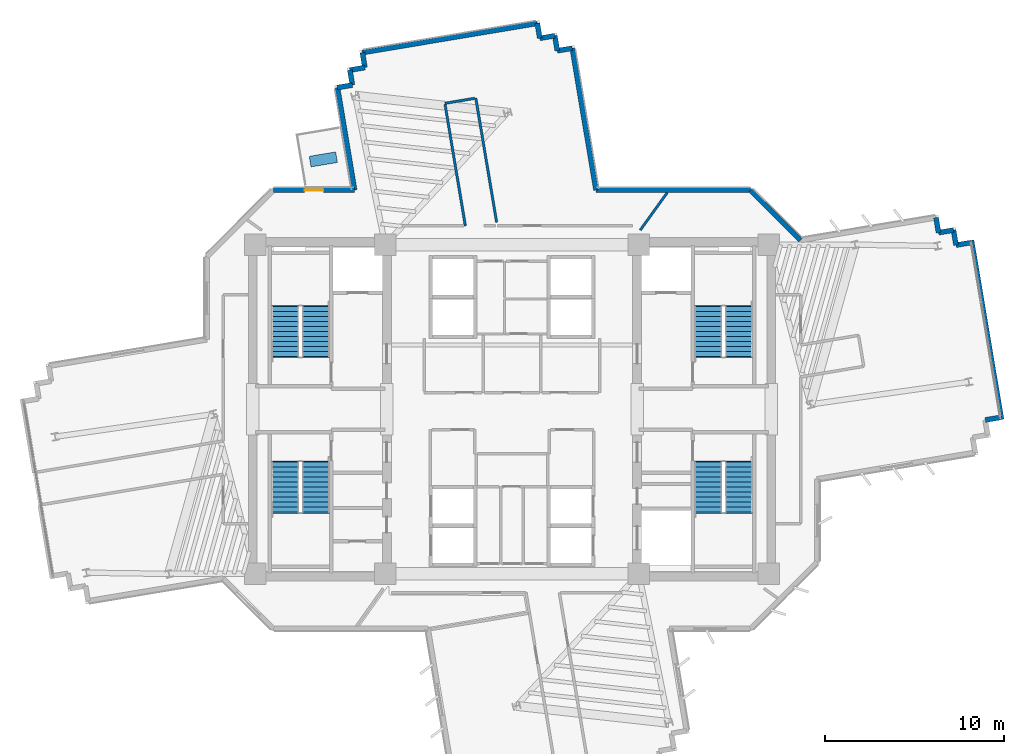
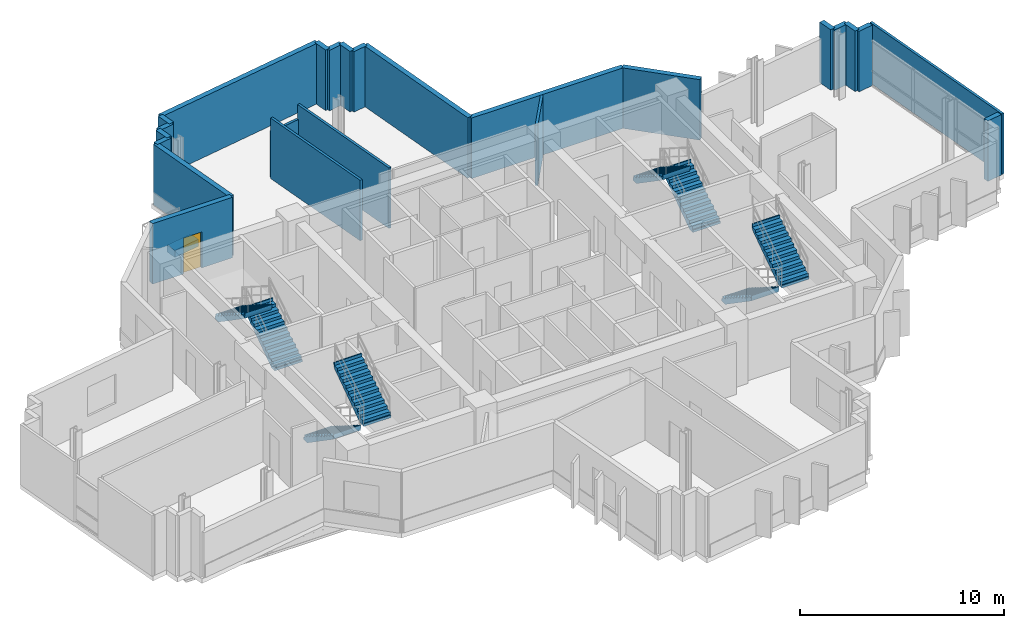
# One storey, part 11 of 15: 24 walls, 8 stair flights, 1 discrete accessory, 1 door, 1 opening, 4 elements without a shape of their own.
"""IFC4 building model written with IfcOpenShell, lengths in metres."""

from ifc_helpers import new_model, si_unit, direction, frame, frame_2d, origin, origin_2d, place, context, subcontext, project, spatial, polyline, rectangle, outline, extrude, source, transform, mapped, material, layer, layer_set, type_object, element, fill, aggregate, save


model = new_model("IFC4")

# Units and contexts
model_context = context("Model", 3, precision=1e-05, world=origin(), true_north=direction((0.0, 1.0)))
body_context = subcontext(model_context, "Body", "Model", "MODEL_VIEW")
ifc_project = project(units=[si_unit("LENGTHUNIT", "METRE"), si_unit("AREAUNIT", "SQUARE_METRE"), si_unit("VOLUMEUNIT", "CUBIC_METRE"), si_unit("PLANEANGLEUNIT", "RADIAN"), si_unit("MASSUNIT", "GRAM", prefix="KILO")], contexts=[model_context])

# Site, building, storey
site_placement = place(None, origin())
site = spatial("IfcSite", under=ifc_project, at=site_placement, CompositionType="ELEMENT")
building_placement = place(site_placement, origin())
building = spatial("IfcBuilding", under=site, at=building_placement, Name="Zahravan Cultural Tower", CompositionType="ELEMENT")
storey_placement = place(building_placement, frame((0.0, 0.0, 139.5)))
storey = spatial("IfcBuildingStorey", under=building, at=storey_placement, Name="L31", CompositionType="ELEMENT", Elevation=139.5)

# Wall, opening, door
ifc_material_1 = material(Name="Precast concrete C40/50", Category="concrete")
ifc_layer_1 = layer(ifc_material_1, 0.280029296875)
ifc_layer_set_1 = layer_set([ifc_layer_1], Name="Precast concrete C40/50")
wall_type_1 = type_object("IfcWallType", Name="EW-TC-280", PredefinedType="SOLIDWALL", material=ifc_layer_set_1)
wall_1_placement = place(storey_placement, frame((22.657958984375, 39.260009765625, 0.0), z_axis=(0.0, 0.0, 1.0), x_axis=(1.0, 0.0, 0.0)))
wall_1 = element("IfcWall", 1, at=wall_1_placement, inside=storey, type_object=wall_type_1, Name="L31 Exterior Masonry Frame Wall 39", PredefinedType="SOLIDWALL", context=body_context, shape_type="SweptSolid", body=[
    extrude(rectangle(XDim=4.537841796875, YDim=0.280029296875, at=frame_2d((2.26904296875, 0.0))), origin(), (0.0, 0.0, 1.0), 3.6201171875),
])
opening_placement = place(wall_1_placement, frame((1.743896484375, 0.0, 0.0)))
opening = element("IfcOpeningElement", 2, at=opening_placement, cuts=wall_1, Name="Opening D-L31-TR-NW", PredefinedType="OPENING", context=body_context, shape_type="SweptSolid", body=[
    extrude(rectangle(XDim=1.050048828125, YDim=2.14990234375, at=frame_2d((0.52490234375, 1.074951171875))), frame((0.0, 0.14990234375, 0.0), z_axis=(0.0, -1.0, 0.0), x_axis=(1.0, 0.0, 0.0)), (0.0, 0.0, 1.0), 0.300048828125),
])
ifc_material_2 = material(Name="Anodised bronze-aluminium mullion", Category="aluminium")
door_type = type_object("IfcDoorType", Name="DR-TERR-1050", OperationType="NOTDEFINED", PredefinedType="DOOR", material=ifc_material_2)
shared_shape_1 = source(origin(), body_context, "Body", "SweptSolid", [
    extrude(rectangle(XDim=1.050048828125, YDim=2.14990234375, at=frame_2d((0.52490234375, 1.074951171875))), frame((0.0, 0.02490234375, 0.0), z_axis=(0.0, -1.0, 0.0), x_axis=(1.0, 0.0, 0.0)), (0.0, 0.0, 1.0), 0.050048828125),
])
door_placement = place(opening_placement, origin())
door = element("IfcDoor", 3, at=door_placement, inside=storey, type_object=door_type, Name="L31 Terrace Access Door NW", OperationType="SINGLE_SWING_RIGHT", OverallHeight=2.14990234375, OverallWidth=1.050048828125, PredefinedType="DOOR", context=body_context, shape_type="MappedRepresentation", body=[
    mapped(shared_shape_1, transform((0.0, 0.0, 0.0), x_axis=(1.0, 0.0, 0.0), y_axis=(0.0, 1.0, 0.0), z_axis=(0.0, 0.0, 1.0), scale=1.0)),
])
fill(opening, door)

# Walls
shared_shape_2 = source(origin(), body_context, "Body", "SweptSolid", [
    extrude(rectangle(XDim=0.85009765625, YDim=0.280029296875, at=frame_2d((0.425048828125, 0.0))), origin(), (0.0, 0.0, 1.0), 3.6201171875),
])
for number, where, z_axis, x_axis, name in (
    (4, (59.7158203125, 37.72119140625, 0.0), (0.0, 0.0, 1.0), (0.164864732418, -0.986316186628, 0.0), "L31 Exterior Masonry Frame Wall 02"),
    (5, (59.85595703125, 36.8828125, 0.0), (0.0, 0.0, 1.0), (0.986269444653, 0.16514412658, 0.0), "L31 Exterior Masonry Frame Wall 03"),
    (6, (60.6943359375, 37.023193359375, 0.0), (0.0, 0.0, 1.0), (0.16514412658, -0.986269444653, 0.0), "L31 Exterior Masonry Frame Wall 04"),
    (7, (60.834716796875, 36.184814453125, 0.0), (0.0, 0.0, 1.0), (0.986269444653, 0.16514412658, 0.0), "L31 Exterior Masonry Frame Wall 05"),
    (8, (63.310302734375, 26.541259765625, 0.0), (0.0, 0.0, 1.0), (-0.986269444653, -0.16514412658, 0.0), "L31 Exterior Masonry Frame Wall 06"),
    (9, (26.236083984375, 44.9951171875, 0.0), (0.0, 0.0, 1.0), (0.986269444653, 0.16514412658, 0.0), "L31 Exterior Masonry Frame Wall 41"),
    (10, (27.074462890625, 45.135498046875, 0.0), (0.0, 0.0, 1.0), (-0.16514412658, 0.986269444653, 0.0), "L31 Exterior Masonry Frame Wall 42"),
    (11, (26.93408203125, 45.973876953125, 0.0), (0.0, 0.0, 1.0), (0.986269444653, 0.16514412658, 0.0), "L31 Exterior Masonry Frame Wall 43"),
    (12, (37.416015625, 48.58984375, 0.0), (0.0, 0.0, 1.0), (0.16514412658, -0.986269444653, 0.0), "L31 Exterior Masonry Frame Wall 46"),
    (13, (37.556396484375, 47.75146484375, 0.0), (0.0, 0.0, 1.0), (0.986316186628, 0.164864732418, 0.0), "L31 Exterior Masonry Frame Wall 47"),
    (14, (38.534912109375, 47.053466796875, 0.0), (0.0, 0.0, 1.0), (0.986316186628, 0.164864732418, 0.0), "L31 Exterior Masonry Frame Wall 49"),
):
    element("IfcWall", number, at=place(storey_placement, frame(where, z_axis=z_axis, x_axis=x_axis)), inside=storey, type_object=wall_type_1, Name=name, PredefinedType="SOLIDWALL", context=body_context, shape_type="MappedRepresentation", body=[
        mapped(shared_shape_2, transform((0.0, 0.0, 0.0), x_axis=(1.0, 0.0, 0.0), y_axis=(0.0, 1.0, 0.0), z_axis=(0.0, 0.0, 1.0), scale=1.0)),
    ])
shared_shape_3 = source(origin(), body_context, "Body", "SweptSolid", [
    extrude(rectangle(XDim=0.849853515625, YDim=0.280029296875, at=frame_2d((0.4248046875, 0.0))), origin(), (0.0, 0.0, 1.0), 3.6201171875),
])
for number, where, z_axis, x_axis, name in (
    (15, (27.7724609375, 46.1142578125, 0.0), (0.0, 0.0, 1.0), (-0.165190918979, 0.986261608442, 0.0), "L31 Exterior Masonry Frame Wall 44"),
    (16, (38.394775390625, 47.8916015625, 0.0), (0.0, 0.0, 1.0), (0.164911450083, -0.986308376539, 0.0), "L31 Exterior Masonry Frame Wall 48"),
):
    element("IfcWall", number, at=place(storey_placement, frame(where, z_axis=z_axis, x_axis=x_axis)), inside=storey, type_object=wall_type_1, Name=name, PredefinedType="SOLIDWALL", context=body_context, shape_type="MappedRepresentation", body=[
        mapped(shared_shape_3, transform((0.0, 0.0, 0.0), x_axis=(1.0, 0.0, 0.0), y_axis=(0.0, 1.0, 0.0), z_axis=(0.0, 0.0, 1.0), scale=1.0)),
    ])
shared_shape_4 = source(origin(), body_context, "Body", "SweptSolid", [
    extrude(rectangle(XDim=9.919921875, YDim=0.280029296875, at=frame_2d((4.9599609375, 0.0))), origin(), (0.0, 0.0, 1.0), 3.6201171875),
])
wall_2_placement = place(storey_placement, frame((27.632080078125, 46.952392578125, 0.0), z_axis=(0.0, 0.0, 1.0), x_axis=(0.986282616944, 0.165065440096, 0.0)))
element("IfcWall", 17, at=wall_2_placement, inside=storey, type_object=wall_type_1, Name="L31 Exterior Masonry Frame Wall 45", PredefinedType="SOLIDWALL", context=body_context, shape_type="MappedRepresentation", body=[
    mapped(shared_shape_4, transform((0.0, 0.0, 0.0), x_axis=(1.0, 0.0, 0.0), y_axis=(0.0, 1.0, 0.0), z_axis=(0.0, 0.0, 1.0), scale=1.0)),
])
shared_shape_5 = source(origin(), body_context, "Body", "SweptSolid", [
    extrude(rectangle(XDim=8.64111328125, YDim=0.280029296875, at=frame_2d((4.320556640625, 0.0))), origin(), (0.0, 0.0, 1.0), 3.6201171875),
])
wall_3_placement = place(storey_placement, frame((40.700927734375, 39.260009765625, 0.0), z_axis=(0.0, 0.0, 1.0), x_axis=(1.0, 0.0, 0.0)))
element("IfcWall", 18, at=wall_3_placement, inside=storey, type_object=wall_type_1, Name="L31 Exterior Masonry Frame Wall 51", PredefinedType="SOLIDWALL", context=body_context, shape_type="MappedRepresentation", body=[
    mapped(shared_shape_5, transform((0.0, 0.0, 0.0), x_axis=(1.0, 0.0, 0.0), y_axis=(0.0, 1.0, 0.0), z_axis=(0.0, 0.0, 1.0), scale=1.0)),
])
shared_shape_6 = source(origin(), body_context, "Body", "SweptSolid", [
    extrude(rectangle(XDim=5.81494140625, YDim=0.280029296875, at=frame_2d((2.907470703125, 0.0))), origin(), (0.0, 0.0, 1.0), 3.6201171875),
])
wall_4_placement = place(storey_placement, frame((27.19580078125, 39.260009765625, 0.0), z_axis=(0.0, 0.0, 1.0), x_axis=(-0.165045758581, 0.986285910664, 0.0)))
element("IfcWall", 19, at=wall_4_placement, inside=storey, type_object=wall_type_1, Name="L31 Exterior Masonry Frame Wall 40", PredefinedType="SOLIDWALL", context=body_context, shape_type="MappedRepresentation", body=[
    mapped(shared_shape_6, transform((0.0, 0.0, 0.0), x_axis=(1.0, 0.0, 0.0), y_axis=(0.0, 1.0, 0.0), z_axis=(0.0, 0.0, 1.0), scale=1.0)),
])
shared_shape_7 = source(origin(), body_context, "Body", "SweptSolid", [
    extrude(rectangle(XDim=8.0439453125, YDim=0.280029296875, at=frame_2d((4.02197265625, 0.0))), origin(), (0.0, 0.0, 1.0), 3.6201171875),
])
wall_5_placement = place(storey_placement, frame((39.373291015625, 47.193603515625, 0.0), z_axis=(0.0, 0.0, 1.0), x_axis=(0.165048626668, -0.986285430712, 0.0)))
element("IfcWall", 20, at=wall_5_placement, inside=storey, type_object=wall_type_1, Name="L31 Exterior Masonry Frame Wall 50", PredefinedType="SOLIDWALL", context=body_context, shape_type="MappedRepresentation", body=[
    mapped(shared_shape_7, transform((0.0, 0.0, 0.0), x_axis=(1.0, 0.0, 0.0), y_axis=(0.0, 1.0, 0.0), z_axis=(0.0, 0.0, 1.0), scale=1.0)),
])
shared_shape_8 = source(origin(), body_context, "Body", "SweptSolid", [
    extrude(rectangle(XDim=3.96728515625, YDim=0.280029296875, at=frame_2d((1.983642578125, 0.0))), origin(), (0.0, 0.0, 1.0), 3.6201171875),
])
wall_6_placement = place(storey_placement, frame((49.342041015625, 39.260009765625, 0.0), z_axis=(0.0, 0.0, 1.0), x_axis=(0.707076011326, -0.707137549708, 0.0)))
element("IfcWall", 21, at=wall_6_placement, inside=storey, type_object=wall_type_1, Name="L31 Exterior Masonry Frame Wall 52", PredefinedType="SOLIDWALL", context=body_context, shape_type="MappedRepresentation", body=[
    mapped(shared_shape_8, transform((0.0, 0.0, 0.0), x_axis=(1.0, 0.0, 0.0), y_axis=(0.0, 1.0, 0.0), z_axis=(0.0, 0.0, 1.0), scale=1.0)),
])
ifc_material_3 = material(Name="Gypsum plasterboard partition")
ifc_layer_2 = layer(ifc_material_3, 0.139892578125)
ifc_layer_set_2 = layer_set([ifc_layer_2], Name="Gypsum plasterboard partition")
wall_type_2 = type_object("IfcWallType", Name="W-PART-140", PredefinedType="PARTITIONING", material=ifc_layer_set_2)
shared_shape_9 = source(origin(), body_context, "Body", "SweptSolid", [
    extrude(rectangle(XDim=1.677490234375, YDim=0.139892578125, at=frame_2d((0.8388671875, 0.0))), origin(), (0.0, 0.0, 1.0), 2.761962890625),
])
wall_7_placement = place(storey_placement, frame((33.90087890625, 44.390869140625, 0.0), z_axis=(0.0, 0.0, 1.0), x_axis=(-0.986164833546, -0.165767671991, 0.0)))
element("IfcWall", 22, at=wall_7_placement, inside=storey, type_object=wall_type_2, Name="L31 Interior Wall 108", PredefinedType="PARTITIONING", context=body_context, shape_type="MappedRepresentation", body=[
    mapped(shared_shape_9, transform((0.0, 0.0, 0.0), x_axis=(1.0, 0.0, 0.0), y_axis=(0.0, 1.0, 0.0), z_axis=(0.0, 0.0, 1.0), scale=1.0)),
])
shared_shape_10 = source(origin(), body_context, "Body", "SweptSolid", [
    extrude(rectangle(XDim=7.041259765625, YDim=0.139892578125, at=frame_2d((3.5205078125, 0.0))), origin(), (0.0, 0.0, 1.0), 3.6201171875),
])
wall_8_placement = place(storey_placement, frame((35.1416015625, 37.45947265625, 0.0), z_axis=(0.0, 0.0, 1.0), x_axis=(-0.165703306215, 0.98617565084, 0.0)))
element("IfcWall", 23, at=wall_8_placement, inside=storey, type_object=wall_type_2, Name="L31 Interior Wall 107", PredefinedType="PARTITIONING", context=body_context, shape_type="MappedRepresentation", body=[
    mapped(shared_shape_10, transform((0.0, 0.0, 0.0), x_axis=(1.0, 0.0, 0.0), y_axis=(0.0, 1.0, 0.0), z_axis=(0.0, 0.0, 1.0), scale=1.0)),
])
shared_shape_11 = source(origin(), body_context, "Body", "SweptSolid", [
    extrude(rectangle(XDim=6.90283203125, YDim=0.139892578125, at=frame_2d((3.451416015625, 0.0))), origin(), (0.0, 0.0, 1.0), 3.6201171875),
])
wall_9_placement = place(storey_placement, frame((32.25390625, 44.068603515625, 0.0), z_axis=(0.0, 0.0, 1.0), x_axis=(0.164708688009, -0.986342257076, 0.0)))
element("IfcWall", 24, at=wall_9_placement, inside=storey, type_object=wall_type_2, Name="L31 Interior Wall 109", PredefinedType="PARTITIONING", context=body_context, shape_type="MappedRepresentation", body=[
    mapped(shared_shape_11, transform((0.0, 0.0, 0.0), x_axis=(1.0, 0.0, 0.0), y_axis=(0.0, 1.0, 0.0), z_axis=(0.0, 0.0, 1.0), scale=1.0)),
])
shared_shape_12 = source(origin(), body_context, "Body", "SweptSolid", [
    extrude(rectangle(XDim=2.58203125, YDim=0.139892578125, at=frame_2d((1.291015625, 0.0))), origin(), (0.0, 0.0, 1.0), 3.6201171875),
])
wall_10_placement = place(storey_placement, frame((44.680419921875, 39.114990234375, 0.0), z_axis=(0.0, 0.0, 1.0), x_axis=(-0.584533864389, -0.811369312572, 0.0)))
element("IfcWall", 25, at=wall_10_placement, inside=storey, type_object=wall_type_2, Name="L31 Interior Wall 111", PredefinedType="PARTITIONING", context=body_context, shape_type="MappedRepresentation", body=[
    mapped(shared_shape_12, transform((0.0, 0.0, 0.0), x_axis=(1.0, 0.0, 0.0), y_axis=(0.0, 1.0, 0.0), z_axis=(0.0, 0.0, 1.0), scale=1.0)),
])
shared_shape_13 = source(origin(), body_context, "Body", "SweptSolid", [
    extrude(rectangle(XDim=10.16015625, YDim=0.139892578125, at=frame_2d((5.080078125, 0.0))), origin(), (0.0, 0.0, 1.0), 3.6201171875),
])
wall_11_placement = place(storey_placement, frame((61.771484375, 36.46337890625, 0.0), z_axis=(0.0, 0.0, 1.0), x_axis=(0.165057484264, -0.986283948409, 0.0)))
element("IfcWall", 26, at=wall_11_placement, inside=storey, type_object=wall_type_2, Name="L31 Interior Wall 119", PredefinedType="PARTITIONING", context=body_context, shape_type="MappedRepresentation", body=[
    mapped(shared_shape_13, transform((0.0, 0.0, 0.0), x_axis=(1.0, 0.0, 0.0), y_axis=(0.0, 1.0, 0.0), z_axis=(0.0, 0.0, 1.0), scale=1.0)),
])

# Stair, stair flights
ifc_material_4 = material(Name="Concrete C45/55", Category="concrete")
stair_type = type_object("IfcStairType", Name="STR-DL-1550-390", PredefinedType="HALF_TURN_STAIR", material=ifc_material_4)
stair_1_placement = place(storey_placement, origin())
stair_1 = element("IfcStair", 27, at=stair_1_placement, inside=storey, type_object=stair_type, Name="L31 West Core North Exit Stair ST-W1", PredefinedType="HALF_TURN_STAIR")
stair_flight_type = type_object("IfcStairFlightType", Name="FLG-DL-1550-390", PredefinedType="STRAIGHT", material=ifc_material_4)
stair_flight_1_placement = place(storey_placement, frame((25.02490234375, 29.949951171875, 0.0), z_axis=(0.0, 0.0, 1.0), x_axis=(0.0, 1.0, 0.0)))
stair_flight_1 = element("IfcStairFlight", 28, at=stair_flight_1_placement, type_object=stair_flight_type, Name="ST-W1 flight 1", NumberOfRisers=11, NumberOfTreads=10, PredefinedType="STRAIGHT", RiserHeight=0.177272727, TreadLength=0.28, context=body_context, shape_type="SweptSolid", body=[
    extrude(outline(polyline([(-0.06494140625, -0.139892578125), (-0.06494140625, 0.0), (0.0, 0.0), (0.0, 0.17724609375), (0.280029296875, 0.17724609375), (0.280029296875, 0.3544921875), (0.56005859375, 0.3544921875), (0.56005859375, 0.53173828125), (0.840087890625, 0.53173828125), (0.840087890625, 0.708984375), (1.1201171875, 0.708984375), (1.1201171875, 0.886474609375), (1.39990234375, 0.886474609375), (1.39990234375, 1.063720703125), (1.679931640625, 1.063720703125), (1.679931640625, 1.240966796875), (1.9599609375, 1.240966796875), (1.9599609375, 1.418212890625), (2.239990234375, 1.418212890625), (2.239990234375, 1.595458984375), (2.52001953125, 1.595458984375), (2.52001953125, 1.772705078125), (2.800048828125, 1.772705078125), (2.800048828125, 1.949951171875), (2.864990234375, 1.949951171875), (2.864990234375, 1.800048828125), (2.800048828125, 1.59521484375), (0.2802734375, -0.139892578125), (-0.06494140625, -0.139892578125)])), frame((0.0, 0.77490234375, 0.0), z_axis=(0.0, -1.0, 0.0), x_axis=(1.0, 0.0, 0.0)), (0.0, 0.0, 1.0), 1.550048828125),
])
stair_flight_2_placement = place(storey_placement, frame((23.324951171875, 32.75, 1.949951171875), z_axis=(0.0, 0.0, 1.0), x_axis=(0.0, -1.0, 0.0)))
stair_flight_2 = element("IfcStairFlight", 29, at=stair_flight_2_placement, type_object=stair_flight_type, Name="ST-W1 flight 2", NumberOfRisers=11, NumberOfTreads=10, PredefinedType="STRAIGHT", RiserHeight=0.177272727, TreadLength=0.28, context=body_context, shape_type="SweptSolid", body=[
    extrude(outline(polyline([(-0.06494140625, -0.139892578125), (-0.06494140625, 0.0), (0.0, 0.0), (0.0, 0.17724609375), (0.280029296875, 0.17724609375), (0.280029296875, 0.3544921875), (0.56005859375, 0.3544921875), (0.56005859375, 0.53173828125), (0.840087890625, 0.53173828125), (0.840087890625, 0.708984375), (1.1201171875, 0.708984375), (1.1201171875, 0.886474609375), (1.39990234375, 0.886474609375), (1.39990234375, 1.063720703125), (1.679931640625, 1.063720703125), (1.679931640625, 1.240966796875), (1.9599609375, 1.240966796875), (1.9599609375, 1.418212890625), (2.239990234375, 1.418212890625), (2.239990234375, 1.595458984375), (2.52001953125, 1.595458984375), (2.52001953125, 1.772705078125), (2.800048828125, 1.772705078125), (2.800048828125, 1.949951171875), (2.864990234375, 1.949951171875), (2.864990234375, 1.800048828125), (2.800048828125, 1.59521484375), (0.2802734375, -0.139892578125), (-0.06494140625, -0.139892578125)])), frame((0.0, 0.77490234375, 0.0), z_axis=(0.0, -1.0, 0.0), x_axis=(1.0, 0.0, 0.0)), (0.0, 0.0, 1.0), 1.550048828125),
])
aggregate(stair_1, [stair_flight_1, stair_flight_2])

stair_2_placement = place(storey_placement, origin())
stair_2 = element("IfcStair", 30, at=stair_2_placement, inside=storey, type_object=stair_type, Name="L31 West Core South Exit Stair ST-W2", PredefinedType="HALF_TURN_STAIR")
stair_flight_3_placement = place(storey_placement, frame((23.324951171875, 24.050048828125, 0.0), z_axis=(0.0, 0.0, 1.0), x_axis=(0.0, -1.0, 0.0)))
stair_flight_3 = element("IfcStairFlight", 31, at=stair_flight_3_placement, type_object=stair_flight_type, Name="ST-W2 flight 1", NumberOfRisers=11, NumberOfTreads=10, PredefinedType="STRAIGHT", RiserHeight=0.177272727, TreadLength=0.28, context=body_context, shape_type="SweptSolid", body=[
    extrude(outline(polyline([(-0.06494140625, -0.139892578125), (-0.06494140625, 0.0), (0.0, 0.0), (0.0, 0.17724609375), (0.280029296875, 0.17724609375), (0.280029296875, 0.3544921875), (0.56005859375, 0.3544921875), (0.56005859375, 0.53173828125), (0.840087890625, 0.53173828125), (0.840087890625, 0.708984375), (1.1201171875, 0.708984375), (1.1201171875, 0.886474609375), (1.39990234375, 0.886474609375), (1.39990234375, 1.063720703125), (1.679931640625, 1.063720703125), (1.679931640625, 1.240966796875), (1.9599609375, 1.240966796875), (1.9599609375, 1.418212890625), (2.239990234375, 1.418212890625), (2.239990234375, 1.595458984375), (2.52001953125, 1.595458984375), (2.52001953125, 1.772705078125), (2.800048828125, 1.772705078125), (2.800048828125, 1.949951171875), (2.864990234375, 1.949951171875), (2.864990234375, 1.800048828125), (2.800048828125, 1.59521484375), (0.2802734375, -0.139892578125), (-0.06494140625, -0.139892578125)])), frame((0.0, 0.77490234375, 0.0), z_axis=(0.0, -1.0, 0.0), x_axis=(1.0, 0.0, 0.0)), (0.0, 0.0, 1.0), 1.550048828125),
])
stair_flight_4_placement = place(storey_placement, frame((25.02490234375, 21.25, 1.949951171875), z_axis=(0.0, 0.0, 1.0), x_axis=(0.0, 1.0, 0.0)))
stair_flight_4 = element("IfcStairFlight", 32, at=stair_flight_4_placement, type_object=stair_flight_type, Name="ST-W2 flight 2", NumberOfRisers=11, NumberOfTreads=10, PredefinedType="STRAIGHT", RiserHeight=0.177272727, TreadLength=0.28, context=body_context, shape_type="SweptSolid", body=[
    extrude(outline(polyline([(-0.06494140625, -0.139892578125), (-0.06494140625, 0.0), (0.0, 0.0), (0.0, 0.17724609375), (0.280029296875, 0.17724609375), (0.280029296875, 0.3544921875), (0.56005859375, 0.3544921875), (0.56005859375, 0.53173828125), (0.840087890625, 0.53173828125), (0.840087890625, 0.708984375), (1.1201171875, 0.708984375), (1.1201171875, 0.886474609375), (1.39990234375, 0.886474609375), (1.39990234375, 1.063720703125), (1.679931640625, 1.063720703125), (1.679931640625, 1.240966796875), (1.9599609375, 1.240966796875), (1.9599609375, 1.418212890625), (2.239990234375, 1.418212890625), (2.239990234375, 1.595458984375), (2.52001953125, 1.595458984375), (2.52001953125, 1.772705078125), (2.800048828125, 1.772705078125), (2.800048828125, 1.949951171875), (2.864990234375, 1.949951171875), (2.864990234375, 1.800048828125), (2.800048828125, 1.59521484375), (0.2802734375, -0.139892578125), (-0.06494140625, -0.139892578125)])), frame((0.0, 0.77490234375, 0.0), z_axis=(0.0, -1.0, 0.0), x_axis=(1.0, 0.0, 0.0)), (0.0, 0.0, 1.0), 1.550048828125),
])
aggregate(stair_2, [stair_flight_3, stair_flight_4])

stair_3_placement = place(storey_placement, origin())
stair_3 = element("IfcStair", 33, at=stair_3_placement, inside=storey, type_object=stair_type, Name="L31 East Core North Exit Stair ST-E1", PredefinedType="HALF_TURN_STAIR")
stair_flight_5_placement = place(storey_placement, frame((48.675048828125, 29.949951171875, 0.0), z_axis=(0.0, 0.0, 1.0), x_axis=(0.0, 1.0, 0.0)))
stair_flight_5 = element("IfcStairFlight", 34, at=stair_flight_5_placement, type_object=stair_flight_type, Name="ST-E1 flight 1", NumberOfRisers=11, NumberOfTreads=10, PredefinedType="STRAIGHT", RiserHeight=0.177272727, TreadLength=0.28, context=body_context, shape_type="SweptSolid", body=[
    extrude(outline(polyline([(-0.06494140625, -0.139892578125), (-0.06494140625, 0.0), (0.0, 0.0), (0.0, 0.17724609375), (0.280029296875, 0.17724609375), (0.280029296875, 0.3544921875), (0.56005859375, 0.3544921875), (0.56005859375, 0.53173828125), (0.840087890625, 0.53173828125), (0.840087890625, 0.708984375), (1.1201171875, 0.708984375), (1.1201171875, 0.886474609375), (1.39990234375, 0.886474609375), (1.39990234375, 1.063720703125), (1.679931640625, 1.063720703125), (1.679931640625, 1.240966796875), (1.9599609375, 1.240966796875), (1.9599609375, 1.418212890625), (2.239990234375, 1.418212890625), (2.239990234375, 1.595458984375), (2.52001953125, 1.595458984375), (2.52001953125, 1.772705078125), (2.800048828125, 1.772705078125), (2.800048828125, 1.949951171875), (2.864990234375, 1.949951171875), (2.864990234375, 1.800048828125), (2.800048828125, 1.59521484375), (0.2802734375, -0.139892578125), (-0.06494140625, -0.139892578125)])), frame((0.0, 0.77490234375, 0.0), z_axis=(0.0, -1.0, 0.0), x_axis=(1.0, 0.0, 0.0)), (0.0, 0.0, 1.0), 1.550048828125),
])
stair_flight_6_placement = place(storey_placement, frame((46.97509765625, 32.75, 1.949951171875), z_axis=(0.0, 0.0, 1.0), x_axis=(0.0, -1.0, 0.0)))
stair_flight_6 = element("IfcStairFlight", 35, at=stair_flight_6_placement, type_object=stair_flight_type, Name="ST-E1 flight 2", NumberOfRisers=11, NumberOfTreads=10, PredefinedType="STRAIGHT", RiserHeight=0.177272727, TreadLength=0.28, context=body_context, shape_type="SweptSolid", body=[
    extrude(outline(polyline([(-0.06494140625, -0.139892578125), (-0.06494140625, 0.0), (0.0, 0.0), (0.0, 0.17724609375), (0.280029296875, 0.17724609375), (0.280029296875, 0.3544921875), (0.56005859375, 0.3544921875), (0.56005859375, 0.53173828125), (0.840087890625, 0.53173828125), (0.840087890625, 0.708984375), (1.1201171875, 0.708984375), (1.1201171875, 0.886474609375), (1.39990234375, 0.886474609375), (1.39990234375, 1.063720703125), (1.679931640625, 1.063720703125), (1.679931640625, 1.240966796875), (1.9599609375, 1.240966796875), (1.9599609375, 1.418212890625), (2.239990234375, 1.418212890625), (2.239990234375, 1.595458984375), (2.52001953125, 1.595458984375), (2.52001953125, 1.772705078125), (2.800048828125, 1.772705078125), (2.800048828125, 1.949951171875), (2.864990234375, 1.949951171875), (2.864990234375, 1.800048828125), (2.800048828125, 1.59521484375), (0.2802734375, -0.139892578125), (-0.06494140625, -0.139892578125)])), frame((0.0, 0.77490234375, 0.0), z_axis=(0.0, -1.0, 0.0), x_axis=(1.0, 0.0, 0.0)), (0.0, 0.0, 1.0), 1.550048828125),
])
aggregate(stair_3, [stair_flight_5, stair_flight_6])

stair_4_placement = place(storey_placement, origin())
stair_4 = element("IfcStair", 36, at=stair_4_placement, inside=storey, type_object=stair_type, Name="L31 East Core South Exit Stair ST-E2", PredefinedType="HALF_TURN_STAIR")
stair_flight_7_placement = place(storey_placement, frame((46.97509765625, 24.050048828125, 0.0), z_axis=(0.0, 0.0, 1.0), x_axis=(0.0, -1.0, 0.0)))
stair_flight_7 = element("IfcStairFlight", 37, at=stair_flight_7_placement, type_object=stair_flight_type, Name="ST-E2 flight 1", NumberOfRisers=11, NumberOfTreads=10, PredefinedType="STRAIGHT", RiserHeight=0.177272727, TreadLength=0.28, context=body_context, shape_type="SweptSolid", body=[
    extrude(outline(polyline([(-0.06494140625, -0.139892578125), (-0.06494140625, 0.0), (0.0, 0.0), (0.0, 0.17724609375), (0.280029296875, 0.17724609375), (0.280029296875, 0.3544921875), (0.56005859375, 0.3544921875), (0.56005859375, 0.53173828125), (0.840087890625, 0.53173828125), (0.840087890625, 0.708984375), (1.1201171875, 0.708984375), (1.1201171875, 0.886474609375), (1.39990234375, 0.886474609375), (1.39990234375, 1.063720703125), (1.679931640625, 1.063720703125), (1.679931640625, 1.240966796875), (1.9599609375, 1.240966796875), (1.9599609375, 1.418212890625), (2.239990234375, 1.418212890625), (2.239990234375, 1.595458984375), (2.52001953125, 1.595458984375), (2.52001953125, 1.772705078125), (2.800048828125, 1.772705078125), (2.800048828125, 1.949951171875), (2.864990234375, 1.949951171875), (2.864990234375, 1.800048828125), (2.800048828125, 1.59521484375), (0.2802734375, -0.139892578125), (-0.06494140625, -0.139892578125)])), frame((0.0, 0.77490234375, 0.0), z_axis=(0.0, -1.0, 0.0), x_axis=(1.0, 0.0, 0.0)), (0.0, 0.0, 1.0), 1.550048828125),
])
stair_flight_8_placement = place(storey_placement, frame((48.675048828125, 21.25, 1.949951171875), z_axis=(0.0, 0.0, 1.0), x_axis=(0.0, 1.0, 0.0)))
stair_flight_8 = element("IfcStairFlight", 38, at=stair_flight_8_placement, type_object=stair_flight_type, Name="ST-E2 flight 2", NumberOfRisers=11, NumberOfTreads=10, PredefinedType="STRAIGHT", RiserHeight=0.177272727, TreadLength=0.28, context=body_context, shape_type="SweptSolid", body=[
    extrude(outline(polyline([(-0.06494140625, -0.139892578125), (-0.06494140625, 0.0), (0.0, 0.0), (0.0, 0.17724609375), (0.280029296875, 0.17724609375), (0.280029296875, 0.3544921875), (0.56005859375, 0.3544921875), (0.56005859375, 0.53173828125), (0.840087890625, 0.53173828125), (0.840087890625, 0.708984375), (1.1201171875, 0.708984375), (1.1201171875, 0.886474609375), (1.39990234375, 0.886474609375), (1.39990234375, 1.063720703125), (1.679931640625, 1.063720703125), (1.679931640625, 1.240966796875), (1.9599609375, 1.240966796875), (1.9599609375, 1.418212890625), (2.239990234375, 1.418212890625), (2.239990234375, 1.595458984375), (2.52001953125, 1.595458984375), (2.52001953125, 1.772705078125), (2.800048828125, 1.772705078125), (2.800048828125, 1.949951171875), (2.864990234375, 1.949951171875), (2.864990234375, 1.800048828125), (2.800048828125, 1.59521484375), (0.2802734375, -0.139892578125), (-0.06494140625, -0.139892578125)])), frame((0.0, 0.77490234375, 0.0), z_axis=(0.0, -1.0, 0.0), x_axis=(1.0, 0.0, 0.0)), (0.0, 0.0, 1.0), 1.550048828125),
])
aggregate(stair_4, [stair_flight_7, stair_flight_8])

# Discrete accessory
ifc_material_5 = material(Name="Planted soil and terracotta planter", Category="masonry")
discrete_accessory_type = type_object("IfcDiscreteAccessoryType", Name="ACC-PLANTER-TC", PredefinedType="USERDEFINED", material=ifc_material_5)
shared_shape_14 = source(origin(), body_context, "Body", "SweptSolid", [
    extrude(rectangle(XDim=1.5, YDim=0.60009765625, at=origin_2d()), origin(), (0.0, 0.0, 1.0), 0.419921875),
])
discrete_accessory_placement = place(storey_placement, frame((25.446044921875, 40.975830078125, 0.0), z_axis=(0.0, 0.0, 1.0), x_axis=(0.986285601537, 0.165047605861, 0.0)))
element("IfcDiscreteAccessory", 39, at=discrete_accessory_placement, inside=storey, type_object=discrete_accessory_type, Name="L31 Terracotta Sculpture Planter NW", ObjectType="PLANTER", PredefinedType="USERDEFINED", context=body_context, shape_type="MappedRepresentation", body=[
    mapped(shared_shape_14, transform((0.0, 0.0, 0.0), x_axis=(1.0, 0.0, 0.0), y_axis=(0.0, 1.0, 0.0), z_axis=(0.0, 0.0, 1.0), scale=1.0)),
])

save(model, "model.ifc")
